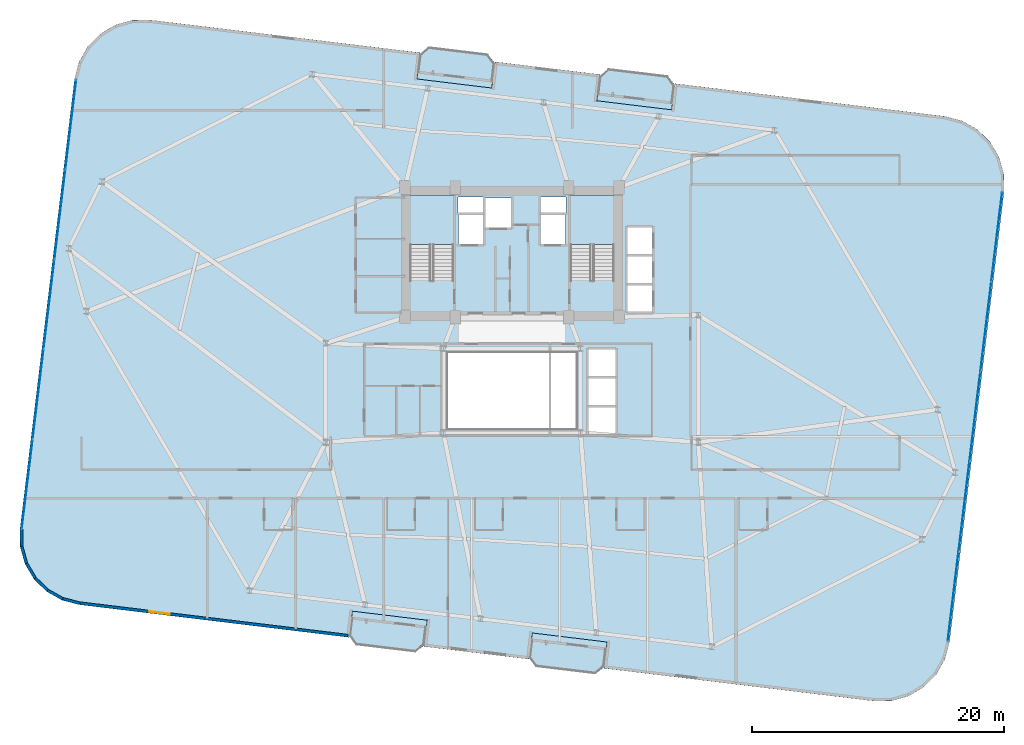
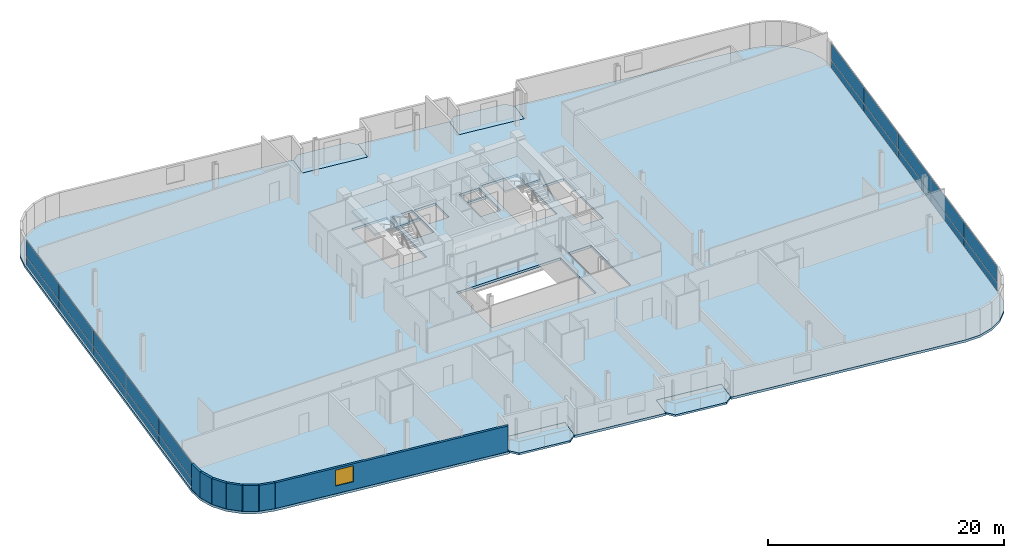
# One storey, part 19 of 26: 20 plates, 7 slabs, 7 walls, 1 window, 1 opening, 4 elements without a shape of their own.
"""IFC4 building model written with IfcOpenShell, lengths in metres."""

import ifcopenshell
import ifcopenshell.guid

model = None  # the IFC model being written
_history = None  # IfcOwnerHistory: only IFC2X3 demands one
_inside = {}  # id of a spatial element -> (the spatial element, [elements in it])
_under = {}  # id of a project, library or spatial element -> (it, [spatial elements below it])
_declared = {}  # id of a project -> (the project, [libraries it declares])
_typed = {}  # id of a type object -> (the type object, [elements of that type])
_made_of = {}  # id of a material, layer set ... -> (it, [elements and type objects made of it])


def new_model(schema):
    """Start an empty IFC model of exactly this schema.

    Asked for "IFC4X3", IfcOpenShell would pick the latest addendum, in which some entities
    have other attributes; the version numbers below select the first issue.
    IFC2X3 requires an IfcOwnerHistory on every rooted entity: one is made here for all.
    """
    global model, _history
    if schema == "IFC4X3":
        model = ifcopenshell.file(schema_version=(4, 3, 0, 0))
    else:
        model = ifcopenshell.file(schema=schema)
    _inside.clear()
    _under.clear()
    _declared.clear()
    _typed.clear()
    _made_of.clear()
    _history = None
    if model.schema == "IFC2X3":
        org = make("IfcOrganization", Name="unknown")
        user = make(
            "IfcPersonAndOrganization",
            ThePerson=make("IfcPerson", FamilyName="unknown"),
            TheOrganization=org,
        )
        app = make(
            "IfcApplication",
            ApplicationDeveloper=org,
            Version="unknown",
            ApplicationFullName="unknown",
            ApplicationIdentifier="unknown",
        )
        _history = make(
            "IfcOwnerHistory",
            OwningUser=user,
            OwningApplication=app,
            ChangeAction="ADDED",
            CreationDate=0,
        )
    return model


def make(cls, **values):
    """One entity of the class cls with the attributes given. An attribute that is None is left unset."""
    return model.create_entity(
        cls, **{name: value for name, value in values.items() if value is not None}
    )


def rooted(cls, **values):
    """An entity with a GlobalId (a new one), such as an element, a storey or a relation."""
    return make(cls, GlobalId=ifcopenshell.guid.new(), OwnerHistory=_history, **values)


def si_unit(unit_type, name, prefix=None):
    """IfcSIUnit, for example si_unit("LENGTHUNIT", "METRE", prefix="MILLI")."""
    return make("IfcSIUnit", UnitType=unit_type, Prefix=prefix, Name=name)


def assignment(units):
    """IfcUnitAssignment: the units of a project."""
    return None if units is None else make("IfcUnitAssignment", Units=units)


def point(xyz):
    """IfcCartesianPoint."""
    return None if xyz is None else make("IfcCartesianPoint", Coordinates=xyz)


def direction(xyz):
    """IfcDirection."""
    return None if xyz is None else make("IfcDirection", DirectionRatios=xyz)


def frame(location, z_axis=None, x_axis=None):
    """IfcAxis2Placement3D, a coordinate frame: its origin and axes. An axis left out is left unset."""
    return make(
        "IfcAxis2Placement3D",
        Location=point(location),
        Axis=direction(z_axis),
        RefDirection=direction(x_axis),
    )


def frame_2d(location, x_axis=None):
    """IfcAxis2Placement2D, a coordinate frame in the plane: its origin and x axis."""
    return make(
        "IfcAxis2Placement2D", Location=point(location), RefDirection=direction(x_axis)
    )


def origin():
    """The frame at (0, 0, 0) with its axes left unset."""
    return frame((0.0, 0.0, 0.0))


def origin_2d():
    """The frame at (0, 0) in the plane with its x axis left unset."""
    return frame_2d((0.0, 0.0))


def place(relative_to, where):
    """IfcLocalPlacement: puts the frame where relative to a parent placement (None: the world)."""
    return make(
        "IfcLocalPlacement", PlacementRelTo=relative_to, RelativePlacement=where
    )


def context(
    kind, dimensions, precision=None, world=None, true_north=None, identifier=None
):
    """IfcGeometricRepresentationContext, for example the 3D "Model" context."""
    return make(
        "IfcGeometricRepresentationContext",
        ContextIdentifier=identifier,
        ContextType=kind,
        CoordinateSpaceDimension=dimensions,
        Precision=precision,
        WorldCoordinateSystem=world,
        TrueNorth=true_north,
    )


def subcontext(parent, identifier, kind, view, scale=None):
    """IfcGeometricRepresentationSubContext, for example "Body" below "Model"."""
    return make(
        "IfcGeometricRepresentationSubContext",
        ContextIdentifier=identifier,
        ContextType=kind,
        ParentContext=parent,
        TargetScale=scale,
        TargetView=view,
    )


def project(units=None, contexts=None):
    """IfcProject with its units and contexts."""
    return rooted(
        "IfcProject",
        Name="project",
        RepresentationContexts=contexts,
        UnitsInContext=assignment(units),
    )


def spatial(cls, under=None, at=None, **own):
    """A site, building, storey or space (cls), placed at a placement, below another one or the project."""
    s = rooted(cls, ObjectPlacement=at, **own)
    if under is not None:
        _under.setdefault(under.id(), (under, []))[1].append(s)
    return s


def polyline(points):
    """IfcPolyline through the points."""
    return make("IfcPolyline", Points=[point(p) for p in points])


def profile(cls, at=None, kind="AREA", **sizes):
    """A parametric profile (cls). Its sizes go by their IFC names, for example OverallWidth=200.0."""
    return make(cls, ProfileType=kind, Position=at, **sizes)


def rectangle(**sizes):
    """IfcRectangleProfileDef."""
    return profile("IfcRectangleProfileDef", **sizes)


def outline(outer, holes=None, kind="AREA"):
    """IfcArbitraryClosedProfileDef: a profile drawn as a closed curve; with holes, ...WithVoids."""
    if holes is None:
        return make("IfcArbitraryClosedProfileDef", ProfileType=kind, OuterCurve=outer)
    return make(
        "IfcArbitraryProfileDefWithVoids",
        ProfileType=kind,
        OuterCurve=outer,
        InnerCurves=holes,
    )


def extrude(swept, where, along, depth):
    """IfcExtrudedAreaSolid: the profile swept, set in the frame where, extruded along a direction by depth."""
    return make(
        "IfcExtrudedAreaSolid",
        SweptArea=swept,
        Position=where,
        ExtrudedDirection=direction(along),
        Depth=depth,
    )


def shape(context_of_items, identifier, shape_type, items):
    """IfcShapeRepresentation: the items that make up one representation, for example the "Body"."""
    return make(
        "IfcShapeRepresentation",
        ContextOfItems=context_of_items,
        RepresentationIdentifier=identifier,
        RepresentationType=shape_type,
        Items=items,
    )


def source(mapping_origin, context_of_items, identifier, shape_type, items):
    """IfcRepresentationMap: a shape defined once, which mapped items show again and again."""
    return make(
        "IfcRepresentationMap",
        MappingOrigin=mapping_origin,
        MappedRepresentation=shape(context_of_items, identifier, shape_type, items),
    )


def transform(
    local_origin,
    x_axis=None,
    y_axis=None,
    z_axis=None,
    scale=None,
    scale2=None,
    scale3=None,
    uniform=True,
):
    """IfcCartesianTransformationOperator3D, or its non-uniform kind. x_axis, y_axis, z_axis: its Axis1, 2, 3."""
    if uniform:
        return make(
            "IfcCartesianTransformationOperator3D",
            Axis1=direction(x_axis),
            Axis2=direction(y_axis),
            LocalOrigin=point(local_origin),
            Scale=scale,
            Axis3=direction(z_axis),
        )
    return make(
        "IfcCartesianTransformationOperator3DnonUniform",
        Axis1=direction(x_axis),
        Axis2=direction(y_axis),
        LocalOrigin=point(local_origin),
        Scale=scale,
        Axis3=direction(z_axis),
        Scale2=scale2,
        Scale3=scale3,
    )


def mapped(mapping_source, mapping_target):
    """IfcMappedItem: shows the shape of a source again, moved by a transform."""
    return make(
        "IfcMappedItem", MappingSource=mapping_source, MappingTarget=mapping_target
    )


def material(Name=None, Category=None):
    """IfcMaterial."""
    return make("IfcMaterial", Name=Name, Category=Category)


def layer(
    of_material, thickness, ventilated=None, Name=None, Category=None, Priority=None
):
    """IfcMaterialLayer: one layer of a wall or slab, of a material (None: an air gap)."""
    return make(
        "IfcMaterialLayer",
        Material=of_material,
        LayerThickness=thickness,
        IsVentilated=ventilated,
        Name=Name,
        Category=Category,
        Priority=Priority,
    )


def layer_set(layers, Name=None):
    """IfcMaterialLayerSet."""
    return make("IfcMaterialLayerSet", MaterialLayers=layers, LayerSetName=Name)


def made_of(thing, what):
    """Note that an element or type object is made of a material, layer set ...; save() writes the relation."""
    if what is not None:
        _made_of.setdefault(what.id(), (what, []))[1].append(thing)
    return thing


def type_object(cls, material=None, **own):
    """A type object (cls), such as IfcWallType, which elements share."""
    return made_of(rooted(cls, **own), material)


def element(
    cls,
    number,
    at=None,
    inside=None,
    cuts=None,
    type_object=None,
    material=None,
    context=None,
    identifier="Body",
    shape_type=None,
    held_by="IfcProductDefinitionShape",
    body=None,
    shapes=None,
    **own,
):
    """One element of the class cls, such as IfcWall. Its Tag is "e" and its number.

    at: its placement. inside: the storey or other place that contains it. cuts: it is an
    opening in that element (IfcRelVoidsElement). A single representation is given by context,
    identifier, shape_type and body (its items); several are given by shapes. held_by: the class
    of the entity that holds the representations. save() writes the other relations.
    """
    e = rooted(cls, Tag="e%d" % number, ObjectPlacement=at, **own)
    if body is not None:
        shapes = [shape(context, identifier, shape_type, body)]
    if shapes is not None:
        e.Representation = make(held_by, Representations=shapes)
    if inside is not None:
        _inside.setdefault(inside.id(), (inside, []))[1].append(e)
    if cuts is not None:
        rooted(
            "IfcRelVoidsElement", RelatingBuildingElement=cuts, RelatedOpeningElement=e
        )
    if type_object is not None:
        _typed.setdefault(type_object.id(), (type_object, []))[1].append(e)
    return made_of(e, material)


def fill(opening, filler):
    """IfcRelFillsElement: the door or window that sits in an opening."""
    return rooted(
        "IfcRelFillsElement",
        RelatingOpeningElement=opening,
        RelatedBuildingElement=filler,
    )


def aggregate(whole, parts):
    """IfcRelAggregates: a whole, such as a stair, and the parts it consists of."""
    return rooted("IfcRelAggregates", RelatingObject=whole, RelatedObjects=parts)


def save(model, path):
    """Write the relations noted so far, then the file.

    IfcRelAggregates (storeys below a building ...), IfcRelContainedInSpatialStructure (elements
    in a storey), IfcRelDefinesByType, IfcRelAssociatesMaterial and IfcRelDeclares: one each for
    every whole, place, type object, material and project.
    """
    for whole, parts in _under.values():
        aggregate(whole, parts)
    for where, things in _inside.values():
        rooted(
            "IfcRelContainedInSpatialStructure",
            RelatedElements=things,
            RelatingStructure=where,
        )
    for kind, things in _typed.values():
        rooted("IfcRelDefinesByType", RelatedObjects=things, RelatingType=kind)
    for what, things in _made_of.values():
        rooted("IfcRelAssociatesMaterial", RelatedObjects=things, RelatingMaterial=what)
    for by, libraries in _declared.values():
        rooted("IfcRelDeclares", RelatingContext=by, RelatedDefinitions=libraries)
    model.write(path)


model = new_model("IFC4")

# Units and contexts
model_context = context("Model", 3, precision=1e-05, world=origin(), true_north=direction((0.0, 1.0)))
body_context = subcontext(model_context, "Body", "Model", "MODEL_VIEW")
ifc_project = project(units=[si_unit("LENGTHUNIT", "METRE"), si_unit("AREAUNIT", "SQUARE_METRE"), si_unit("VOLUMEUNIT", "CUBIC_METRE"), si_unit("PLANEANGLEUNIT", "RADIAN"), si_unit("MASSUNIT", "GRAM", prefix="KILO")], contexts=[model_context])

# Site, building, storey
site_placement = place(None, origin())
site = spatial("IfcSite", under=ifc_project, at=site_placement, CompositionType="ELEMENT")
building_placement = place(site_placement, origin())
building = spatial("IfcBuilding", under=site, at=building_placement, Name="Varnelok Gate Tower", CompositionType="ELEMENT")
storey_placement = place(building_placement, frame((0.0, 0.0, 158.699951171875)))
storey = spatial("IfcBuildingStorey", under=building, at=storey_placement, Name="L40", CompositionType="ELEMENT", Elevation=158.699951171875)

# Slabs
ifc_material_1 = material(Name="Concrete C45/55", Category="concrete")
ifc_layer_1 = layer(ifc_material_1, 0.199951171875)
ifc_layer_set_1 = layer_set([ifc_layer_1], Name="Concrete C45/55")
slab_type_1 = type_object("IfcSlabType", Name="SLB-BALC-200", PredefinedType="FLOOR", material=ifc_layer_set_1)
slab_1_placement = place(storey_placement, frame((0.0, 0.0, -0.199951171875)))
element("IfcSlab", 1, at=slab_1_placement, inside=storey, type_object=slab_type_1, Name="L40 South Hollow Balcony 1", PredefinedType="FLOOR", context=body_context, shape_type="SweptSolid", body=[
    extrude(outline(polyline([(26.27001953125, 3.39697265625), (26.837158203125, 2.67333984375), (31.5029296875, 2.107666015625), (32.2265625, 2.6748046875), (32.46728515625, 4.660400390625), (26.5107421875, 5.38232421875), (26.27001953125, 3.39697265625)])), origin(), (0.0, 0.0, 1.0), 0.199951171875),
])
slab_2_placement = place(storey_placement, frame((0.0, 0.0, -0.199951171875)))
element("IfcSlab", 2, at=slab_2_placement, inside=storey, type_object=slab_type_1, Name="L40 South Hollow Balcony 2", PredefinedType="FLOOR", context=body_context, shape_type="SweptSolid", body=[
    extrude(outline(polyline([(40.5654296875, 1.663818359375), (41.132568359375, 0.9404296875), (45.79833984375, 0.374755859375), (46.521728515625, 0.94189453125), (46.762451171875, 2.92724609375), (40.80615234375, 3.6494140625), (40.5654296875, 1.663818359375)])), origin(), (0.0, 0.0, 1.0), 0.199951171875),
])
slab_3_placement = place(storey_placement, frame((0.0, 0.0, -0.199951171875)))
element("IfcSlab", 3, at=slab_3_placement, inside=storey, type_object=slab_type_1, Name="L40 North Hollow Balcony 1", PredefinedType="FLOOR", context=body_context, shape_type="SweptSolid", body=[
    extrude(outline(polyline([(31.637451171875, 47.672607421875), (37.593994140625, 46.95068359375), (37.834716796875, 48.93603515625), (37.267578125, 49.65966796875), (32.601806640625, 50.22509765625), (31.878173828125, 49.658203125), (31.637451171875, 47.672607421875)])), origin(), (0.0, 0.0, 1.0), 0.199951171875),
])
slab_4_placement = place(storey_placement, frame((0.0, 0.0, -0.199951171875)))
element("IfcSlab", 4, at=slab_4_placement, inside=storey, type_object=slab_type_1, Name="L40 North Hollow Balcony 2", PredefinedType="FLOOR", context=body_context, shape_type="SweptSolid", body=[
    extrude(outline(polyline([(45.932861328125, 45.939697265625), (51.88916015625, 45.2177734375), (52.1298828125, 47.203125), (51.562744140625, 47.926513671875), (46.89697265625, 48.4921875), (46.173583984375, 47.92529296875), (45.932861328125, 45.939697265625)])), origin(), (0.0, 0.0, 1.0), 0.199951171875),
])

# Stair, slab
ifc_material_2 = material(Name="Concrete C50/60", Category="concrete")
stair_type = type_object("IfcStairType", Name="STR-CORE-1650", PredefinedType="HALF_TURN_STAIR", material=ifc_material_2)
stair_1_placement = place(storey_placement, origin())
stair_1 = element("IfcStair", 5, at=stair_1_placement, inside=storey, type_object=stair_type, Name="L40 Exit Stair ST-1", PredefinedType="HALF_TURN_STAIR")
ifc_layer_2 = layer(ifc_material_1, 0.199951171875)
ifc_layer_set_2 = layer_set([ifc_layer_2], Name="Concrete C45/55")
slab_type_2 = type_object("IfcSlabType", Name="SLB-LAND-200", PredefinedType="LANDING", material=ifc_layer_set_2)
slab_5_placement = place(storey_placement, frame((0.0, 0.0, 1.650146484375)))
slab_5 = element("IfcSlab", 6, at=slab_5_placement, type_object=slab_type_2, Name="ST-1 landing 1", PredefinedType="LANDING", context=body_context, shape_type="SweptSolid", body=[
    extrude(outline(polyline([(34.550048828125, 34.5), (34.550048828125, 38.449951171875), (31.10009765625, 38.449951171875), (31.10009765625, 34.5), (34.550048828125, 34.5)])), origin(), (0.0, 0.0, 1.0), 0.199951171875),
])
aggregate(stair_1, [slab_5])

stair_2_placement = place(storey_placement, origin())
stair_2 = element("IfcStair", 7, at=stair_2_placement, inside=storey, type_object=stair_type, Name="L40 Exit Stair ST-2", PredefinedType="HALF_TURN_STAIR")
slab_6_placement = place(storey_placement, frame((0.0, 0.0, 1.650146484375)))
slab_6 = element("IfcSlab", 8, at=slab_6_placement, type_object=slab_type_2, Name="ST-2 landing 1", PredefinedType="LANDING", context=body_context, shape_type="SweptSolid", body=[
    extrude(outline(polyline([(47.300048828125, 34.5), (47.300048828125, 38.449951171875), (43.85009765625, 38.449951171875), (43.85009765625, 34.5), (47.300048828125, 34.5)])), origin(), (0.0, 0.0, 1.0), 0.199951171875),
])
aggregate(stair_2, [slab_6])

# Slab
ifc_layer_3 = layer(ifc_material_2, 0.25)
ifc_layer_set_3 = layer_set([ifc_layer_3], Name="Concrete C50/60")
slab_type_3 = type_object("IfcSlabType", Name="SLB-TYP-250", PredefinedType="FLOOR", material=ifc_layer_set_3)
slab_7_placement = place(storey_placement, frame((0.0, 0.0, -0.25)))
element("IfcSlab", 9, at=slab_7_placement, inside=storey, type_object=slab_type_3, Name="L40 Structural Floor Slab", PredefinedType="FLOOR", context=body_context, shape_type="SweptSolid", body=[
    extrude(outline(polyline([(0.104248046875, 11.90771484375), (0.11865234375, 10.498046875), (0.49755859375, 9.14013671875), (1.214599609375, 7.9267578125), (2.2216796875, 6.940185546875), (3.44970703125, 6.247802734375), (4.81494140625, 5.89697265625), (16.529296875, 4.47705078125), (26.258056640625, 3.297607421875), (26.5107421875, 5.38232421875), (32.46728515625, 4.660400390625), (32.214599609375, 2.575439453125), (40.553466796875, 1.564697265625), (40.80615234375, 3.6494140625), (46.762451171875, 2.92724609375), (46.509765625, 0.842529296875), (56.238525390625, -0.3369140625), (67.952880859375, -1.7568359375), (69.3623046875, -1.742431640625), (70.72021484375, -1.363525390625), (71.933837890625, -0.646240234375), (72.92041015625, 0.360595703125), (73.612548828125, 1.588623046875), (73.96337890625, 2.9541015625), (78.2958984375, 38.6923828125), (78.281494140625, 40.101806640625), (77.902587890625, 41.459716796875), (77.185302734375, 42.67333984375), (76.17822265625, 43.659912109375), (74.9501953125, 44.35205078125), (73.5849609375, 44.702880859375), (61.87060546875, 46.123046875), (52.141845703125, 47.302490234375), (51.88916015625, 45.2177734375), (45.932861328125, 45.939697265625), (46.185546875, 48.0244140625), (37.8466796875, 49.035400390625), (37.593994140625, 46.95068359375), (31.637451171875, 47.672607421875), (31.89013671875, 49.75732421875), (22.161376953125, 50.936767578125), (10.447265625, 52.35693359375), (9.03759765625, 52.34228515625), (7.6796875, 51.963623046875), (6.46630859375, 51.246337890625), (5.479736328125, 50.2392578125), (4.787353515625, 49.01123046875), (4.4365234375, 47.64599609375), (0.104248046875, 11.90771484375)]), holes=[polyline([(34.550048828125, 31.679931640625), (34.550048828125, 38.449951171875), (31.10009765625, 38.449951171875), (31.10009765625, 31.679931640625), (34.550048828125, 31.679931640625)]), polyline([(47.300048828125, 31.679931640625), (47.300048828125, 38.449951171875), (43.85009765625, 38.449951171875), (43.85009765625, 31.679931640625), (47.300048828125, 31.679931640625)]), polyline([(34.949951171875, 34.550048828125), (36.89990234375, 34.550048828125), (36.89990234375, 36.89990234375), (34.949951171875, 36.89990234375), (34.949951171875, 34.550048828125)]), polyline([(41.5, 34.550048828125), (43.449951171875, 34.550048828125), (43.449951171875, 36.89990234375), (41.5, 36.89990234375), (41.5, 34.550048828125)]), polyline([(37.050048828125, 35.85009765625), (39.14990234375, 35.85009765625), (39.14990234375, 38.199951171875), (37.050048828125, 38.199951171875), (37.050048828125, 35.85009765625)]), polyline([(48.35009765625, 29.14990234375), (50.35009765625, 29.14990234375), (50.35009765625, 35.89990234375), (48.35009765625, 35.89990234375), (48.35009765625, 29.14990234375)]), polyline([(45.25, 19.449951171875), (47.449951171875, 19.449951171875), (47.449951171875, 26.199951171875), (45.25, 26.199951171875), (45.25, 19.449951171875)]), polyline([(34.919921875, 37.080078125), (36.89990234375, 37.080078125), (36.89990234375, 38.280029296875), (34.919921875, 38.280029296875), (34.919921875, 37.080078125)]), polyline([(41.5, 37.080078125), (43.47998046875, 37.080078125), (43.47998046875, 38.280029296875), (41.5, 38.280029296875), (41.5, 37.080078125)]), polyline([(34.10009765625, 19.89990234375), (44.300048828125, 19.89990234375), (44.300048828125, 25.89990234375), (34.10009765625, 25.89990234375), (34.10009765625, 19.89990234375)])]), origin(), (0.0, 0.0, 1.0), 0.25),
])

# Curtain wall, plates
ifc_material_3 = material(Name="Anodized Aluminum Alloy 6063-T6", Category="aluminium")
ifc_layer_4 = layer(ifc_material_3, 0.179931640625)
ifc_layer_set_4 = layer_set([ifc_layer_4], Name="Anodized Aluminum Alloy 6063-T6")
curtain_wall_type = type_object("IfcCurtainWallType", Name="CW3-HOTEL-VISION", PredefinedType="USERDEFINED", material=ifc_layer_set_4)
curtain_wall_1_placement = place(storey_placement, origin())
curtain_wall_1 = element("IfcCurtainWall", 10, at=curtain_wall_1_placement, inside=storey, type_object=curtain_wall_type, Name="L40 West End Vision Curtain Wall", ObjectType="UNITISED CURTAIN WALL", PredefinedType="USERDEFINED")
ifc_material_4 = material(Name="Low-E Laminated Double Glazing IGU", Category="glass")
ifc_layer_5 = layer(ifc_material_4, 0.031982421875)
ifc_layer_set_5 = layer_set([ifc_layer_5], Name="Low-E Laminated Double Glazing IGU")
plate_type = type_object("IfcPlateType", Name="CW-PNL-IGU32", PredefinedType="CURTAIN_PANEL", material=ifc_layer_set_5)
shared_shape_1 = source(origin(), body_context, "Body", "SweptSolid", [
    extrude(rectangle(XDim=7.1025390625, YDim=0.031982421875, at=origin_2d()), origin(), (0.0, 0.0, 1.0), 0.802490234375),
])
plate_1_placement = place(storey_placement, frame((0.67822265625, 15.480712890625, 0.06494140625), z_axis=(0.0, 0.0, 1.0), x_axis=(0.120347046212, 0.99273188146, 0.0)))
plate_1 = element("IfcPlate", 11, at=plate_1_placement, type_object=plate_type, Name="CW3 panel 1.1", PredefinedType="CURTAIN_PANEL", context=body_context, shape_type="MappedRepresentation", body=[
    mapped(shared_shape_1, transform((0.0, 0.0, 0.0), scale=1.0)),
])
plate_2_placement = place(storey_placement, frame((4.140380859375, 44.039306640625, 0.06494140625), z_axis=(0.0, 0.0, 1.0), x_axis=(0.120347046212, 0.99273188146, 0.0)))
plate_2 = element("IfcPlate", 12, at=plate_2_placement, type_object=plate_type, Name="CW3 panel 5.1", PredefinedType="CURTAIN_PANEL", context=body_context, shape_type="MappedRepresentation", body=[
    mapped(shared_shape_1, transform((0.0, 0.0, 0.0), scale=1.0)),
])

curtain_wall_2_placement = place(storey_placement, origin())
curtain_wall_2 = element("IfcCurtainWall", 13, at=curtain_wall_2_placement, inside=storey, type_object=curtain_wall_type, Name="L40 East End Vision Curtain Wall", ObjectType="UNITISED CURTAIN WALL", PredefinedType="USERDEFINED")
plate_3_placement = place(storey_placement, frame((77.7216796875, 35.119140625, 0.06494140625), z_axis=(0.0, 0.0, 1.0), x_axis=(-0.120347046212, -0.99273188146, 0.0)))
plate_3 = element("IfcPlate", 14, at=plate_3_placement, type_object=plate_type, Name="CW3 panel 1.1", PredefinedType="CURTAIN_PANEL", context=body_context, shape_type="MappedRepresentation", body=[
    mapped(shared_shape_1, transform((0.0, 0.0, 0.0), scale=1.0)),
])
plate_4_placement = place(storey_placement, frame((74.259521484375, 6.560791015625, 0.06494140625), z_axis=(0.0, 0.0, 1.0), x_axis=(-0.120347046212, -0.99273188146, 0.0)))
plate_4 = element("IfcPlate", 15, at=plate_4_placement, type_object=plate_type, Name="CW3 panel 5.1", PredefinedType="CURTAIN_PANEL", context=body_context, shape_type="MappedRepresentation", body=[
    mapped(shared_shape_1, transform((0.0, 0.0, 0.0), scale=1.0)),
])

# Plate
shared_shape_2 = source(origin(), body_context, "Body", "SweptSolid", [
    extrude(rectangle(XDim=7.135009765625, YDim=0.031982421875, at=origin_2d()), origin(), (0.0, 0.0, 1.0), 0.802490234375),
])
plate_5_placement = place(storey_placement, frame((1.54296875, 22.6123046875, 0.06494140625), z_axis=(0.0, 0.0, 1.0), x_axis=(0.120347046212, 0.99273188146, 0.0)))
plate_5 = element("IfcPlate", 16, at=plate_5_placement, type_object=plate_type, Name="CW3 panel 2.1", PredefinedType="CURTAIN_PANEL", context=body_context, shape_type="MappedRepresentation", body=[
    mapped(shared_shape_2, transform((0.0, 0.0, 0.0), scale=1.0)),
])

plate_6_placement = place(storey_placement, frame((2.409423828125, 29.760009765625, 0.06494140625), z_axis=(0.0, 0.0, 1.0), x_axis=(0.120347046212, 0.99273188146, 0.0)))
plate_6 = element("IfcPlate", 17, at=plate_6_placement, type_object=plate_type, Name="CW3 panel 3.1", PredefinedType="CURTAIN_PANEL", context=body_context, shape_type="MappedRepresentation", body=[
    mapped(shared_shape_2, transform((0.0, 0.0, 0.0), scale=1.0)),
])

plate_7_placement = place(storey_placement, frame((3.27587890625, 36.90771484375, 0.06494140625), z_axis=(0.0, 0.0, 1.0), x_axis=(0.120347046212, 0.99273188146, 0.0)))
plate_7 = element("IfcPlate", 18, at=plate_7_placement, type_object=plate_type, Name="CW3 panel 4.1", PredefinedType="CURTAIN_PANEL", context=body_context, shape_type="MappedRepresentation", body=[
    mapped(shared_shape_2, transform((0.0, 0.0, 0.0), scale=1.0)),
])

plate_8_placement = place(storey_placement, frame((76.857177734375, 27.98779296875, 0.06494140625), z_axis=(0.0, 0.0, 1.0), x_axis=(-0.120347046212, -0.99273188146, 0.0)))
plate_8 = element("IfcPlate", 19, at=plate_8_placement, type_object=plate_type, Name="CW3 panel 2.1", PredefinedType="CURTAIN_PANEL", context=body_context, shape_type="MappedRepresentation", body=[
    mapped(shared_shape_2, transform((0.0, 0.0, 0.0), scale=1.0)),
])

plate_9_placement = place(storey_placement, frame((75.99072265625, 20.840087890625, 0.06494140625), z_axis=(0.0, 0.0, 1.0), x_axis=(-0.120347046212, -0.99273188146, 0.0)))
plate_9 = element("IfcPlate", 20, at=plate_9_placement, type_object=plate_type, Name="CW3 panel 3.1", PredefinedType="CURTAIN_PANEL", context=body_context, shape_type="MappedRepresentation", body=[
    mapped(shared_shape_2, transform((0.0, 0.0, 0.0), scale=1.0)),
])

plate_10_placement = place(storey_placement, frame((75.124267578125, 13.6923828125, 0.06494140625), z_axis=(0.0, 0.0, 1.0), x_axis=(-0.120347046212, -0.99273188146, 0.0)))
plate_10 = element("IfcPlate", 21, at=plate_10_placement, type_object=plate_type, Name="CW3 panel 4.1", PredefinedType="CURTAIN_PANEL", context=body_context, shape_type="MappedRepresentation", body=[
    mapped(shared_shape_2, transform((0.0, 0.0, 0.0), scale=1.0)),
])

shared_shape_3 = source(origin(), body_context, "Body", "SweptSolid", [
    extrude(rectangle(XDim=7.1025390625, YDim=0.031982421875, at=origin_2d()), origin(), (0.0, 0.0, 1.0), 1.66259765625),
])
plate_11_placement = place(storey_placement, frame((0.67822265625, 15.480712890625, 0.9326171875), z_axis=(0.0, 0.0, 1.0), x_axis=(0.120347046212, 0.99273188146, 0.0)))
plate_11 = element("IfcPlate", 22, at=plate_11_placement, type_object=plate_type, Name="CW3 panel 1.2", PredefinedType="CURTAIN_PANEL", context=body_context, shape_type="MappedRepresentation", body=[
    mapped(shared_shape_3, transform((0.0, 0.0, 0.0), scale=1.0)),
])

plate_12_placement = place(storey_placement, frame((4.140380859375, 44.039306640625, 0.9326171875), z_axis=(0.0, 0.0, 1.0), x_axis=(0.120347046212, 0.99273188146, 0.0)))
plate_12 = element("IfcPlate", 23, at=plate_12_placement, type_object=plate_type, Name="CW3 panel 5.2", PredefinedType="CURTAIN_PANEL", context=body_context, shape_type="MappedRepresentation", body=[
    mapped(shared_shape_3, transform((0.0, 0.0, 0.0), scale=1.0)),
])

plate_13_placement = place(storey_placement, frame((77.7216796875, 35.119140625, 0.9326171875), z_axis=(0.0, 0.0, 1.0), x_axis=(-0.120347046212, -0.99273188146, 0.0)))
plate_13 = element("IfcPlate", 24, at=plate_13_placement, type_object=plate_type, Name="CW3 panel 1.2", PredefinedType="CURTAIN_PANEL", context=body_context, shape_type="MappedRepresentation", body=[
    mapped(shared_shape_3, transform((0.0, 0.0, 0.0), scale=1.0)),
])

plate_14_placement = place(storey_placement, frame((74.259521484375, 6.560791015625, 0.9326171875), z_axis=(0.0, 0.0, 1.0), x_axis=(-0.120347046212, -0.99273188146, 0.0)))
plate_14 = element("IfcPlate", 25, at=plate_14_placement, type_object=plate_type, Name="CW3 panel 5.2", PredefinedType="CURTAIN_PANEL", context=body_context, shape_type="MappedRepresentation", body=[
    mapped(shared_shape_3, transform((0.0, 0.0, 0.0), scale=1.0)),
])

shared_shape_4 = source(origin(), body_context, "Body", "SweptSolid", [
    extrude(rectangle(XDim=7.135009765625, YDim=0.031982421875, at=origin_2d()), origin(), (0.0, 0.0, 1.0), 1.66259765625),
])
plate_15_placement = place(storey_placement, frame((1.54296875, 22.6123046875, 0.9326171875), z_axis=(0.0, 0.0, 1.0), x_axis=(0.120347046212, 0.99273188146, 0.0)))
plate_15 = element("IfcPlate", 26, at=plate_15_placement, type_object=plate_type, Name="CW3 panel 2.2", PredefinedType="CURTAIN_PANEL", context=body_context, shape_type="MappedRepresentation", body=[
    mapped(shared_shape_4, transform((0.0, 0.0, 0.0), scale=1.0)),
])

plate_16_placement = place(storey_placement, frame((2.409423828125, 29.760009765625, 0.9326171875), z_axis=(0.0, 0.0, 1.0), x_axis=(0.120347046212, 0.99273188146, 0.0)))
plate_16 = element("IfcPlate", 27, at=plate_16_placement, type_object=plate_type, Name="CW3 panel 3.2", PredefinedType="CURTAIN_PANEL", context=body_context, shape_type="MappedRepresentation", body=[
    mapped(shared_shape_4, transform((0.0, 0.0, 0.0), scale=1.0)),
])

plate_17_placement = place(storey_placement, frame((3.27587890625, 36.90771484375, 0.9326171875), z_axis=(0.0, 0.0, 1.0), x_axis=(0.120347046212, 0.99273188146, 0.0)))
plate_17 = element("IfcPlate", 28, at=plate_17_placement, type_object=plate_type, Name="CW3 panel 4.2", PredefinedType="CURTAIN_PANEL", context=body_context, shape_type="MappedRepresentation", body=[
    mapped(shared_shape_4, transform((0.0, 0.0, 0.0), scale=1.0)),
])

aggregate(curtain_wall_1, [plate_1, plate_11, plate_5, plate_15, plate_6, plate_16, plate_7, plate_17, plate_2, plate_12])

plate_18_placement = place(storey_placement, frame((76.857177734375, 27.98779296875, 0.9326171875), z_axis=(0.0, 0.0, 1.0), x_axis=(-0.120347046212, -0.99273188146, 0.0)))
plate_18 = element("IfcPlate", 29, at=plate_18_placement, type_object=plate_type, Name="CW3 panel 2.2", PredefinedType="CURTAIN_PANEL", context=body_context, shape_type="MappedRepresentation", body=[
    mapped(shared_shape_4, transform((0.0, 0.0, 0.0), scale=1.0)),
])

plate_19_placement = place(storey_placement, frame((75.99072265625, 20.840087890625, 0.9326171875), z_axis=(0.0, 0.0, 1.0), x_axis=(-0.120347046212, -0.99273188146, 0.0)))
plate_19 = element("IfcPlate", 30, at=plate_19_placement, type_object=plate_type, Name="CW3 panel 3.2", PredefinedType="CURTAIN_PANEL", context=body_context, shape_type="MappedRepresentation", body=[
    mapped(shared_shape_4, transform((0.0, 0.0, 0.0), scale=1.0)),
])

plate_20_placement = place(storey_placement, frame((75.124267578125, 13.6923828125, 0.9326171875), z_axis=(0.0, 0.0, 1.0), x_axis=(-0.120347046212, -0.99273188146, 0.0)))
plate_20 = element("IfcPlate", 31, at=plate_20_placement, type_object=plate_type, Name="CW3 panel 4.2", PredefinedType="CURTAIN_PANEL", context=body_context, shape_type="MappedRepresentation", body=[
    mapped(shared_shape_4, transform((0.0, 0.0, 0.0), scale=1.0)),
])

aggregate(curtain_wall_2, [plate_3, plate_13, plate_8, plate_18, plate_9, plate_19, plate_10, plate_20, plate_4, plate_14])

# Walls
ifc_layer_6 = layer(ifc_material_1, 0.219970703125)
ifc_layer_set_6 = layer_set([ifc_layer_6], Name="Concrete C45/55")
wall_type = type_object("IfcWallType", Name="EW-BALC-220", PredefinedType="SOLIDWALL", material=ifc_layer_set_6)
wall_1_placement = place(storey_placement, frame((0.224365234375, 11.89306640625, 0.0), z_axis=(0.0, 0.0, 1.0), x_axis=(0.010098705419, -0.999949006774, 0.0)))
element("IfcWall", 32, at=wall_1_placement, inside=storey, type_object=wall_type, Name="L40 Perimeter Facade Closure Wall 1", PredefinedType="SOLIDWALL", context=body_context, shape_type="SweptSolid", body=[
    extrude(rectangle(XDim=1.3779296875, YDim=0.219970703125, at=frame_2d((0.68896484375, 0.0))), origin(), (0.0, 0.0, 1.0), 2.66015625),
])
wall_2_placement = place(storey_placement, frame((0.2451171875, 10.490966796875, 0.0), z_axis=(0.0, 0.0, 1.0), x_axis=(0.268853470153, -0.963181089716, 0.0)))
element("IfcWall", 33, at=wall_2_placement, inside=storey, type_object=wall_type, Name="L40 Perimeter Facade Closure Wall 2", PredefinedType="SOLIDWALL", context=body_context, shape_type="SweptSolid", body=[
    extrude(rectangle(XDim=1.35302734375, YDim=0.219970703125, at=frame_2d((0.676513671875, 0.0))), origin(), (0.0, 0.0, 1.0), 2.66015625),
])
wall_3_placement = place(storey_placement, frame((0.62158203125, 9.166015625, 0.0), z_axis=(0.0, 0.0, 1.0), x_axis=(0.508911700393, -0.860818727261, 0.0)))
element("IfcWall", 34, at=wall_3_placement, inside=storey, type_object=wall_type, Name="L40 Perimeter Facade Closure Wall 3", PredefinedType="SOLIDWALL", context=body_context, shape_type="SweptSolid", body=[
    extrude(rectangle(XDim=1.352783203125, YDim=0.219970703125, at=frame_2d((0.67626953125, 0.0))), origin(), (0.0, 0.0, 1.0), 2.66015625),
])
wall_4_placement = place(storey_placement, frame((1.327880859375, 7.98388671875, 0.0), z_axis=(0.0, 0.0, 1.0), x_axis=(0.714376989847, -0.69976104234, 0.0)))
element("IfcWall", 35, at=wall_4_placement, inside=storey, type_object=wall_type, Name="L40 Perimeter Facade Closure Wall 4", PredefinedType="SOLIDWALL", context=body_context, shape_type="SweptSolid", body=[
    extrude(rectangle(XDim=1.35302734375, YDim=0.219970703125, at=frame_2d((0.676513671875, 0.0))), origin(), (0.0, 0.0, 1.0), 2.66015625),
])
wall_5_placement = place(storey_placement, frame((2.316162109375, 7.024658203125, 0.0), z_axis=(0.0, 0.0, 1.0), x_axis=(0.87113677592, -0.491040443996, 0.0)))
element("IfcWall", 36, at=wall_5_placement, inside=storey, type_object=wall_type, Name="L40 Perimeter Facade Closure Wall 5", PredefinedType="SOLIDWALL", context=body_context, shape_type="SweptSolid", body=[
    extrude(rectangle(XDim=1.353271484375, YDim=0.219970703125, at=frame_2d((0.6767578125, 0.0))), origin(), (0.0, 0.0, 1.0), 2.66015625),
])
wall_6_placement = place(storey_placement, frame((3.519287109375, 6.35400390625, 0.0), z_axis=(0.0, 0.0, 1.0), x_axis=(0.968506529347, -0.248988157573, 0.0)))
element("IfcWall", 37, at=wall_6_placement, inside=storey, type_object=wall_type, Name="L40 Perimeter Facade Closure Wall 6", PredefinedType="SOLIDWALL", context=body_context, shape_type="SweptSolid", body=[
    extrude(rectangle(XDim=1.361083984375, YDim=0.219970703125, at=frame_2d((0.6806640625, 0.0))), origin(), (0.0, 0.0, 1.0), 2.66015625),
])

# Wall, opening, window
wall_7_placement = place(storey_placement, frame((4.862060546875, 6.01220703125, 0.0), z_axis=(0.0, 0.0, 1.0), x_axis=(0.99273213367, -0.120344965739, 0.0)))
wall_7 = element("IfcWall", 38, at=wall_7_placement, inside=storey, type_object=wall_type, Name="L40 Perimeter Facade Closure Wall 7", PredefinedType="SOLIDWALL", context=body_context, shape_type="SweptSolid", body=[
    extrude(rectangle(XDim=21.447021484375, YDim=0.219970703125, at=frame_2d((10.7236328125, 0.0))), origin(), (0.0, 0.0, 1.0), 2.66015625),
])
opening_placement = place(wall_7_placement, frame((5.543212890625, 0.0, 0.800048828125)))
opening = element("IfcOpeningElement", 39, at=opening_placement, cuts=wall_7, Name="Opening WN3", PredefinedType="OPENING", context=body_context, shape_type="SweptSolid", body=[
    extrude(rectangle(XDim=1.64990234375, YDim=1.64990234375, at=frame_2d((0.824951171875, 0.824951171875))), frame((0.0, 0.119873046875, 0.0), z_axis=(0.0, -1.0, 0.0), x_axis=(1.0, 0.0, 0.0)), (0.0, 0.0, 1.0), 0.239990234375),
])
window_type = type_object("IfcWindowType", Name="WN-HTL-1650", PartitioningType="SINGLE_PANEL", PredefinedType="WINDOW", material=ifc_material_4)
window_placement = place(opening_placement, origin())
window = element("IfcWindow", 40, at=window_placement, inside=storey, type_object=window_type, Name="L40 Perimeter Vision Window 7", OverallHeight=1.64990234375, OverallWidth=1.64990234375, PartitioningType="SINGLE_PANEL", PredefinedType="WINDOW", context=body_context, shape_type="SweptSolid", body=[
    extrude(rectangle(XDim=1.64990234375, YDim=1.64990234375, at=frame_2d((0.824951171875, 0.824951171875))), frame((0.0, 0.030029296875, 0.0), z_axis=(0.0, -1.0, 0.0), x_axis=(1.0, 0.0, 0.0)), (0.0, 0.0, 1.0), 0.06005859375),
])
fill(opening, window)

save(model, "model.ifc")
